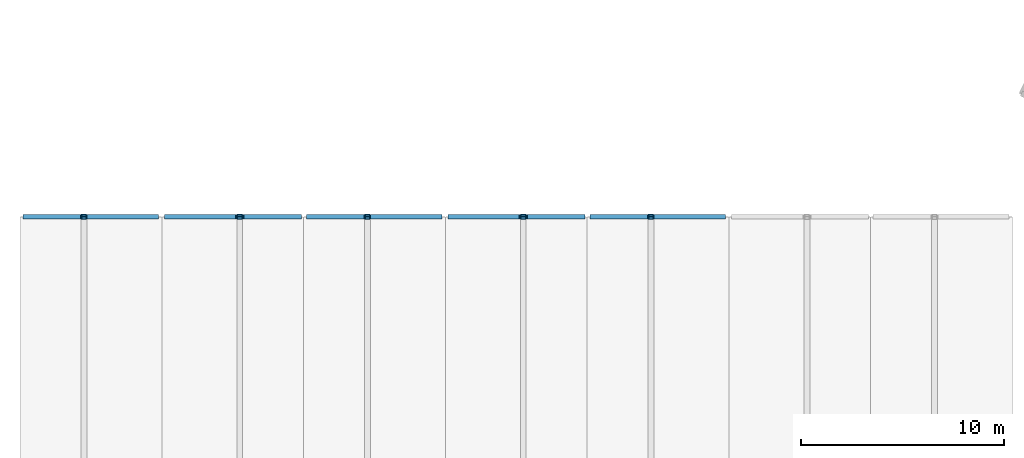
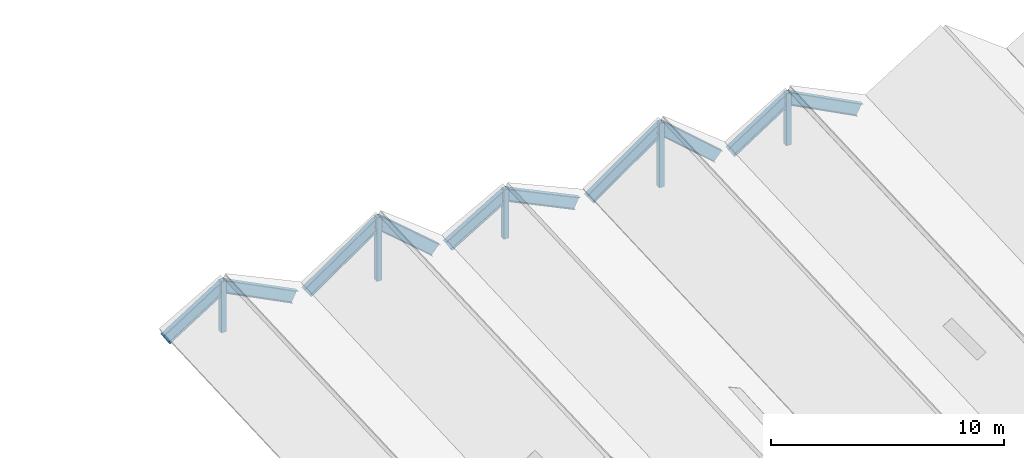
# One storey, part 12 of 127: 10 beams, 5 members.
"""IFC4 building model written with IfcOpenShell, lengths in metres."""

import ifcopenshell
import ifcopenshell.guid

model = None  # the IFC model being written
_history = None  # IfcOwnerHistory: only IFC2X3 demands one
_inside = {}  # id of a spatial element -> (the spatial element, [elements in it])
_under = {}  # id of a project, library or spatial element -> (it, [spatial elements below it])
_declared = {}  # id of a project -> (the project, [libraries it declares])
_typed = {}  # id of a type object -> (the type object, [elements of that type])
_made_of = {}  # id of a material, layer set ... -> (it, [elements and type objects made of it])


def new_model(schema):
    """Start an empty IFC model of exactly this schema.

    Asked for "IFC4X3", IfcOpenShell would pick the latest addendum, in which some entities
    have other attributes; the version numbers below select the first issue.
    IFC2X3 requires an IfcOwnerHistory on every rooted entity: one is made here for all.
    """
    global model, _history
    if schema == "IFC4X3":
        model = ifcopenshell.file(schema_version=(4, 3, 0, 0))
    else:
        model = ifcopenshell.file(schema=schema)
    _inside.clear()
    _under.clear()
    _declared.clear()
    _typed.clear()
    _made_of.clear()
    _history = None
    if model.schema == "IFC2X3":
        org = make("IfcOrganization", Name="unknown")
        user = make(
            "IfcPersonAndOrganization",
            ThePerson=make("IfcPerson", FamilyName="unknown"),
            TheOrganization=org,
        )
        app = make(
            "IfcApplication",
            ApplicationDeveloper=org,
            Version="unknown",
            ApplicationFullName="unknown",
            ApplicationIdentifier="unknown",
        )
        _history = make(
            "IfcOwnerHistory",
            OwningUser=user,
            OwningApplication=app,
            ChangeAction="ADDED",
            CreationDate=0,
        )
    return model


def make(cls, **values):
    """One entity of the class cls with the attributes given. An attribute that is None is left unset."""
    return model.create_entity(
        cls, **{name: value for name, value in values.items() if value is not None}
    )


def rooted(cls, **values):
    """An entity with a GlobalId (a new one), such as an element, a storey or a relation."""
    return make(cls, GlobalId=ifcopenshell.guid.new(), OwnerHistory=_history, **values)


def si_unit(unit_type, name, prefix=None):
    """IfcSIUnit, for example si_unit("LENGTHUNIT", "METRE", prefix="MILLI")."""
    return make("IfcSIUnit", UnitType=unit_type, Prefix=prefix, Name=name)


def assignment(units):
    """IfcUnitAssignment: the units of a project."""
    return None if units is None else make("IfcUnitAssignment", Units=units)


def point(xyz):
    """IfcCartesianPoint."""
    return None if xyz is None else make("IfcCartesianPoint", Coordinates=xyz)


def direction(xyz):
    """IfcDirection."""
    return None if xyz is None else make("IfcDirection", DirectionRatios=xyz)


def frame(location, z_axis=None, x_axis=None):
    """IfcAxis2Placement3D, a coordinate frame: its origin and axes. An axis left out is left unset."""
    return make(
        "IfcAxis2Placement3D",
        Location=point(location),
        Axis=direction(z_axis),
        RefDirection=direction(x_axis),
    )


def frame_2d(location, x_axis=None):
    """IfcAxis2Placement2D, a coordinate frame in the plane: its origin and x axis."""
    return make(
        "IfcAxis2Placement2D", Location=point(location), RefDirection=direction(x_axis)
    )


def origin():
    """The frame at (0, 0, 0) with its axes left unset."""
    return frame((0.0, 0.0, 0.0))


def origin_2d():
    """The frame at (0, 0) in the plane with its x axis left unset."""
    return frame_2d((0.0, 0.0))


def place(relative_to, where):
    """IfcLocalPlacement: puts the frame where relative to a parent placement (None: the world)."""
    return make(
        "IfcLocalPlacement", PlacementRelTo=relative_to, RelativePlacement=where
    )


def context(
    kind, dimensions, precision=None, world=None, true_north=None, identifier=None
):
    """IfcGeometricRepresentationContext, for example the 3D "Model" context."""
    return make(
        "IfcGeometricRepresentationContext",
        ContextIdentifier=identifier,
        ContextType=kind,
        CoordinateSpaceDimension=dimensions,
        Precision=precision,
        WorldCoordinateSystem=world,
        TrueNorth=true_north,
    )


def subcontext(parent, identifier, kind, view, scale=None):
    """IfcGeometricRepresentationSubContext, for example "Body" below "Model"."""
    return make(
        "IfcGeometricRepresentationSubContext",
        ContextIdentifier=identifier,
        ContextType=kind,
        ParentContext=parent,
        TargetScale=scale,
        TargetView=view,
    )


def project(units=None, contexts=None):
    """IfcProject with its units and contexts."""
    return rooted(
        "IfcProject",
        Name="project",
        RepresentationContexts=contexts,
        UnitsInContext=assignment(units),
    )


def spatial(cls, under=None, at=None, **own):
    """A site, building, storey or space (cls), placed at a placement, below another one or the project."""
    s = rooted(cls, ObjectPlacement=at, **own)
    if under is not None:
        _under.setdefault(under.id(), (under, []))[1].append(s)
    return s


def profile(cls, at=None, kind="AREA", **sizes):
    """A parametric profile (cls). Its sizes go by their IFC names, for example OverallWidth=200.0."""
    return make(cls, ProfileType=kind, Position=at, **sizes)


def hollow_rectangle(**sizes):
    """IfcRectangleHollowProfileDef."""
    return profile("IfcRectangleHollowProfileDef", **sizes)


def i_section(**sizes):
    """IfcIShapeProfileDef."""
    return profile("IfcIShapeProfileDef", **sizes)


def extrude(swept, where, along, depth):
    """IfcExtrudedAreaSolid: the profile swept, set in the frame where, extruded along a direction by depth."""
    return make(
        "IfcExtrudedAreaSolid",
        SweptArea=swept,
        Position=where,
        ExtrudedDirection=direction(along),
        Depth=depth,
    )


def shape(context_of_items, identifier, shape_type, items):
    """IfcShapeRepresentation: the items that make up one representation, for example the "Body"."""
    return make(
        "IfcShapeRepresentation",
        ContextOfItems=context_of_items,
        RepresentationIdentifier=identifier,
        RepresentationType=shape_type,
        Items=items,
    )


def material(Name=None, Category=None):
    """IfcMaterial."""
    return make("IfcMaterial", Name=Name, Category=Category)


def material_profile(
    of_material, cross_section, Name=None, Category=None, Priority=None
):
    """IfcMaterialProfile: a cross section and its material."""
    return make(
        "IfcMaterialProfile",
        Name=Name,
        Material=of_material,
        Profile=cross_section,
        Priority=Priority,
        Category=Category,
    )


def profile_set(profiles, Name=None, composite=None):
    """IfcMaterialProfileSet."""
    return make(
        "IfcMaterialProfileSet",
        Name=Name,
        MaterialProfiles=profiles,
        CompositeProfile=composite,
    )


def made_of(thing, what):
    """Note that an element or type object is made of a material, layer set ...; save() writes the relation."""
    if what is not None:
        _made_of.setdefault(what.id(), (what, []))[1].append(thing)
    return thing


def type_object(cls, material=None, **own):
    """A type object (cls), such as IfcWallType, which elements share."""
    return made_of(rooted(cls, **own), material)


def element(
    cls,
    number,
    at=None,
    inside=None,
    cuts=None,
    type_object=None,
    material=None,
    context=None,
    identifier="Body",
    shape_type=None,
    held_by="IfcProductDefinitionShape",
    body=None,
    shapes=None,
    **own,
):
    """One element of the class cls, such as IfcWall. Its Tag is "e" and its number.

    at: its placement. inside: the storey or other place that contains it. cuts: it is an
    opening in that element (IfcRelVoidsElement). A single representation is given by context,
    identifier, shape_type and body (its items); several are given by shapes. held_by: the class
    of the entity that holds the representations. save() writes the other relations.
    """
    e = rooted(cls, Tag="e%d" % number, ObjectPlacement=at, **own)
    if body is not None:
        shapes = [shape(context, identifier, shape_type, body)]
    if shapes is not None:
        e.Representation = make(held_by, Representations=shapes)
    if inside is not None:
        _inside.setdefault(inside.id(), (inside, []))[1].append(e)
    if cuts is not None:
        rooted(
            "IfcRelVoidsElement", RelatingBuildingElement=cuts, RelatedOpeningElement=e
        )
    if type_object is not None:
        _typed.setdefault(type_object.id(), (type_object, []))[1].append(e)
    return made_of(e, material)


def aggregate(whole, parts):
    """IfcRelAggregates: a whole, such as a stair, and the parts it consists of."""
    return rooted("IfcRelAggregates", RelatingObject=whole, RelatedObjects=parts)


def save(model, path):
    """Write the relations noted so far, then the file.

    IfcRelAggregates (storeys below a building ...), IfcRelContainedInSpatialStructure (elements
    in a storey), IfcRelDefinesByType, IfcRelAssociatesMaterial and IfcRelDeclares: one each for
    every whole, place, type object, material and project.
    """
    for whole, parts in _under.values():
        aggregate(whole, parts)
    for where, things in _inside.values():
        rooted(
            "IfcRelContainedInSpatialStructure",
            RelatedElements=things,
            RelatingStructure=where,
        )
    for kind, things in _typed.values():
        rooted("IfcRelDefinesByType", RelatedObjects=things, RelatingType=kind)
    for what, things in _made_of.values():
        rooted("IfcRelAssociatesMaterial", RelatedObjects=things, RelatingMaterial=what)
    for by, libraries in _declared.values():
        rooted("IfcRelDeclares", RelatingContext=by, RelatedDefinitions=libraries)
    model.write(path)


model = new_model("IFC4")

# Units and contexts
model_context = context("Model", 3, precision=1e-05, world=origin(), true_north=direction((0.0, 1.0)))
body_context = subcontext(model_context, "Body", "Model", "MODEL_VIEW")
ifc_project = project(units=[si_unit("LENGTHUNIT", "METRE"), si_unit("AREAUNIT", "SQUARE_METRE"), si_unit("VOLUMEUNIT", "CUBIC_METRE"), si_unit("PLANEANGLEUNIT", "RADIAN"), si_unit("MASSUNIT", "GRAM", prefix="KILO")], contexts=[model_context])

# Site, building, storey
site_placement = place(None, origin())
site = spatial("IfcSite", under=ifc_project, at=site_placement, CompositionType="ELEMENT")
building_placement = place(site_placement, origin())
building = spatial("IfcBuilding", under=site, at=building_placement, Name="Kestramere Prow Commons", CompositionType="ELEMENT")
storey_placement = place(building_placement, frame((0.0, 0.0, 8.39990234375)))
storey = spatial("IfcBuildingStorey", under=building, at=storey_placement, Name="L02", CompositionType="ELEMENT", Elevation=8.39990234375)

# Beams
ifc_material = material(Name="Steel S355JR", Category="steel")
ifc_material_profile_1 = material_profile(ifc_material, i_section(OverallWidth=0.22900390625, OverallDepth=0.6123046875, WebThickness=0.011962890625, FlangeThickness=0.01953125, FilletRadius=0.0126953125, at=origin_2d()), Name="UB 610x229x125")
ifc_profile_set_1 = profile_set([ifc_material_profile_1], Name="Steel S355JR")
beam_type = type_object("IfcBeamType", Name="BM-FP-GAB UB 610x229x125", PredefinedType="BEAM", material=ifc_profile_set_1)
beam_1_placement = place(storey_placement, frame((2.5, 43.5, 1.091552734375), z_axis=(0.845490624019, 0.0, 0.53399026648), x_axis=(0.0, 1.0, 0.0)))
element("IfcBeam", 1, at=beam_1_placement, inside=storey, type_object=beam_type, Name="Hall Gable Fold Rafter 1NL", PredefinedType="BEAM", context=body_context, shape_type="SweptSolid", body=[
    extrude(i_section(OverallWidth=0.22900390625, OverallDepth=0.6123046875, WebThickness=0.011962890625, FlangeThickness=0.01953125, FilletRadius=0.0126953125, at=origin_2d()), origin(), (0.0, 0.0, 1.0), 3.370849609375),
])
beam_2_placement = place(storey_placement, frame((5.35009765625, 43.5, 2.8916015625), z_axis=(0.891885695606, 0.0, -0.452260882648), x_axis=(0.0, 1.0, 0.0)))
element("IfcBeam", 2, at=beam_2_placement, inside=storey, type_object=beam_type, Name="Hall Gable Fold Rafter 1NR", PredefinedType="BEAM", context=body_context, shape_type="SweptSolid", body=[
    extrude(i_section(OverallWidth=0.22900390625, OverallDepth=0.6123046875, WebThickness=0.011962890625, FlangeThickness=0.01953125, FilletRadius=0.0126953125, at=origin_2d()), origin(), (0.0, 0.0, 1.0), 3.980224609375),
])
beam_3_placement = place(storey_placement, frame((9.5, 43.5, 1.091552734375), z_axis=(0.823034869744, 0.0, 0.567990847801), x_axis=(0.0, 1.0, 0.0)))
element("IfcBeam", 3, at=beam_3_placement, inside=storey, type_object=beam_type, Name="Hall Gable Fold Rafter 2NL", PredefinedType="BEAM", context=body_context, shape_type="SweptSolid", body=[
    extrude(i_section(OverallWidth=0.22900390625, OverallDepth=0.6123046875, WebThickness=0.011962890625, FlangeThickness=0.01953125, FilletRadius=0.0126953125, at=origin_2d()), origin(), (0.0, 0.0, 1.0), 4.3134765625),
])
beam_4_placement = place(storey_placement, frame((13.050048828125, 43.5, 3.54150390625), z_axis=(0.75830657884, 0.0, -0.651898099774), x_axis=(0.0, 1.0, 0.0)))
element("IfcBeam", 4, at=beam_4_placement, inside=storey, type_object=beam_type, Name="Hall Gable Fold Rafter 2NR", PredefinedType="BEAM", context=body_context, shape_type="SweptSolid", body=[
    extrude(i_section(OverallWidth=0.22900390625, OverallDepth=0.6123046875, WebThickness=0.011962890625, FlangeThickness=0.01953125, FilletRadius=0.0126953125, at=origin_2d()), origin(), (0.0, 0.0, 1.0), 3.75830078125),
])
beam_5_placement = place(storey_placement, frame((16.5, 43.5, 1.091552734375), z_axis=(0.85883370052, 0.0, 0.512254502032), x_axis=(0.0, 1.0, 0.0)))
element("IfcBeam", 5, at=beam_5_placement, inside=storey, type_object=beam_type, Name="Hall Gable Fold Rafter 3NL", PredefinedType="BEAM", context=body_context, shape_type="SweptSolid", body=[
    extrude(i_section(OverallWidth=0.22900390625, OverallDepth=0.6123046875, WebThickness=0.011962890625, FlangeThickness=0.01953125, FilletRadius=0.0126953125, at=origin_2d()), origin(), (0.0, 0.0, 1.0), 3.318603515625),
])
beam_6_placement = place(storey_placement, frame((19.35009765625, 43.5, 2.79150390625), z_axis=(0.901914710026, 0.0, -0.431914176473), x_axis=(0.0, 1.0, 0.0)))
element("IfcBeam", 6, at=beam_6_placement, inside=storey, type_object=beam_type, Name="Hall Gable Fold Rafter 3NR", PredefinedType="BEAM", context=body_context, shape_type="SweptSolid", body=[
    extrude(i_section(OverallWidth=0.22900390625, OverallDepth=0.6123046875, WebThickness=0.011962890625, FlangeThickness=0.01953125, FilletRadius=0.0126953125, at=origin_2d()), origin(), (0.0, 0.0, 1.0), 3.935791015625),
])
beam_7_placement = place(storey_placement, frame((23.5, 43.5, 1.091552734375), z_axis=(0.81760936752, 0.0, 0.575773325315), x_axis=(0.0, 1.0, 0.0)))
element("IfcBeam", 7, at=beam_7_placement, inside=storey, type_object=beam_type, Name="Hall Gable Fold Rafter 4NL", PredefinedType="BEAM", context=body_context, shape_type="SweptSolid", body=[
    extrude(i_section(OverallWidth=0.22900390625, OverallDepth=0.6123046875, WebThickness=0.011962890625, FlangeThickness=0.01953125, FilletRadius=0.0126953125, at=origin_2d()), origin(), (0.0, 0.0, 1.0), 4.342041015625),
])
beam_8_placement = place(storey_placement, frame((27.050048828125, 43.5, 3.591552734375), z_axis=(0.75174230968, 0.0, -0.659456973454), x_axis=(0.0, 1.0, 0.0)))
element("IfcBeam", 8, at=beam_8_placement, inside=storey, type_object=beam_type, Name="Hall Gable Fold Rafter 4NR", PredefinedType="BEAM", context=body_context, shape_type="SweptSolid", body=[
    extrude(i_section(OverallWidth=0.22900390625, OverallDepth=0.6123046875, WebThickness=0.011962890625, FlangeThickness=0.01953125, FilletRadius=0.0126953125, at=origin_2d()), origin(), (0.0, 0.0, 1.0), 3.791015625),
])
beam_9_placement = place(storey_placement, frame((30.5, 43.5, 1.091552734375), z_axis=(0.838807869531, 0.0, 0.544427550748), x_axis=(0.0, 1.0, 0.0)))
element("IfcBeam", 9, at=beam_9_placement, inside=storey, type_object=beam_type, Name="Hall Gable Fold Rafter 5NL", PredefinedType="BEAM", context=body_context, shape_type="SweptSolid", body=[
    extrude(i_section(OverallWidth=0.22900390625, OverallDepth=0.6123046875, WebThickness=0.011962890625, FlangeThickness=0.01953125, FilletRadius=0.0126953125, at=origin_2d()), origin(), (0.0, 0.0, 1.0), 3.397705078125),
])
beam_10_placement = place(storey_placement, frame((33.35009765625, 43.5, 2.94140625), z_axis=(0.886812028774, 0.0, -0.462130312381), x_axis=(0.0, 1.0, 0.0)))
element("IfcBeam", 10, at=beam_10_placement, inside=storey, type_object=beam_type, Name="Hall Gable Fold Rafter 5NR", PredefinedType="BEAM", context=body_context, shape_type="SweptSolid", body=[
    extrude(i_section(OverallWidth=0.22900390625, OverallDepth=0.6123046875, WebThickness=0.011962890625, FlangeThickness=0.01953125, FilletRadius=0.0126953125, at=origin_2d()), origin(), (0.0, 0.0, 1.0), 4.0029296875),
])

# Members
ifc_material_profile_2 = material_profile(ifc_material, hollow_rectangle(XDim=0.25, YDim=0.25, WallThickness=0.012451171875, at=origin_2d()), Name="SHS 250x250x12.5")
ifc_profile_set_2 = profile_set([ifc_material_profile_2], Name="Steel S355JR")
member_type = type_object("IfcMemberType", Name="BRAPX-01 SHS 250x250x12.5", PredefinedType="BRACE", material=ifc_profile_set_2)
member_1_placement = place(storey_placement, frame((5.35009765625, 43.5, 0.518798828125), z_axis=(0.0, 0.0, 1.0), x_axis=(1.0, 0.0, 0.0)))
element("IfcMember", 11, at=member_1_placement, inside=storey, type_object=member_type, Name="Hall Gable King-Post Diagonal Brace 1N", PredefinedType="BRACE", context=body_context, shape_type="SweptSolid", body=[
    extrude(hollow_rectangle(XDim=0.25, YDim=0.25, WallThickness=0.012451171875, at=origin_2d()), origin(), (0.0, 0.0, 1.0), 2.6787109375),
])
member_2_placement = place(storey_placement, frame((13.050048828125, 43.5, 0.518798828125), z_axis=(0.0, 0.0, 1.0), x_axis=(1.0, 0.0, 0.0)))
element("IfcMember", 12, at=member_2_placement, inside=storey, type_object=member_type, Name="Hall Gable King-Post Diagonal Brace 2N", PredefinedType="BRACE", context=body_context, shape_type="SweptSolid", body=[
    extrude(hollow_rectangle(XDim=0.25, YDim=0.25, WallThickness=0.012451171875, at=origin_2d()), origin(), (0.0, 0.0, 1.0), 3.328857421875),
])
member_3_placement = place(storey_placement, frame((19.35009765625, 43.5, 0.518798828125), z_axis=(0.0, 0.0, 1.0), x_axis=(1.0, 0.0, 0.0)))
element("IfcMember", 13, at=member_3_placement, inside=storey, type_object=member_type, Name="Hall Gable King-Post Diagonal Brace 3N", PredefinedType="BRACE", context=body_context, shape_type="SweptSolid", body=[
    extrude(hollow_rectangle(XDim=0.25, YDim=0.25, WallThickness=0.012451171875, at=origin_2d()), origin(), (0.0, 0.0, 1.0), 2.578857421875),
])
member_4_placement = place(storey_placement, frame((27.050048828125, 43.5, 0.518798828125), z_axis=(0.0, 0.0, 1.0), x_axis=(1.0, 0.0, 0.0)))
element("IfcMember", 14, at=member_4_placement, inside=storey, type_object=member_type, Name="Hall Gable King-Post Diagonal Brace 4N", PredefinedType="BRACE", context=body_context, shape_type="SweptSolid", body=[
    extrude(hollow_rectangle(XDim=0.25, YDim=0.25, WallThickness=0.012451171875, at=origin_2d()), origin(), (0.0, 0.0, 1.0), 3.37890625),
])
member_5_placement = place(storey_placement, frame((33.35009765625, 43.5, 0.518798828125), z_axis=(0.0, 0.0, 1.0), x_axis=(1.0, 0.0, 0.0)))
element("IfcMember", 15, at=member_5_placement, inside=storey, type_object=member_type, Name="Hall Gable King-Post Diagonal Brace 5N", PredefinedType="BRACE", context=body_context, shape_type="SweptSolid", body=[
    extrude(hollow_rectangle(XDim=0.25, YDim=0.25, WallThickness=0.012451171875, at=origin_2d()), origin(), (0.0, 0.0, 1.0), 2.728759765625),
])

save(model, "model.ifc")
